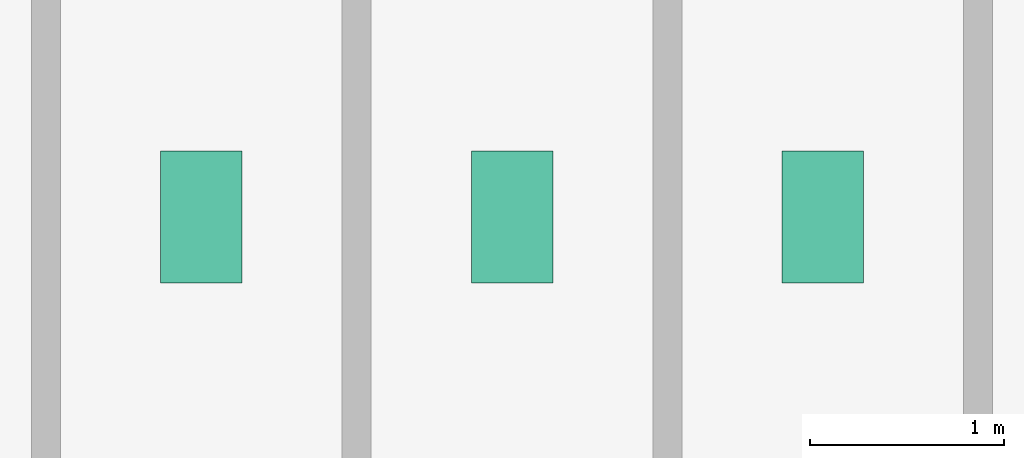
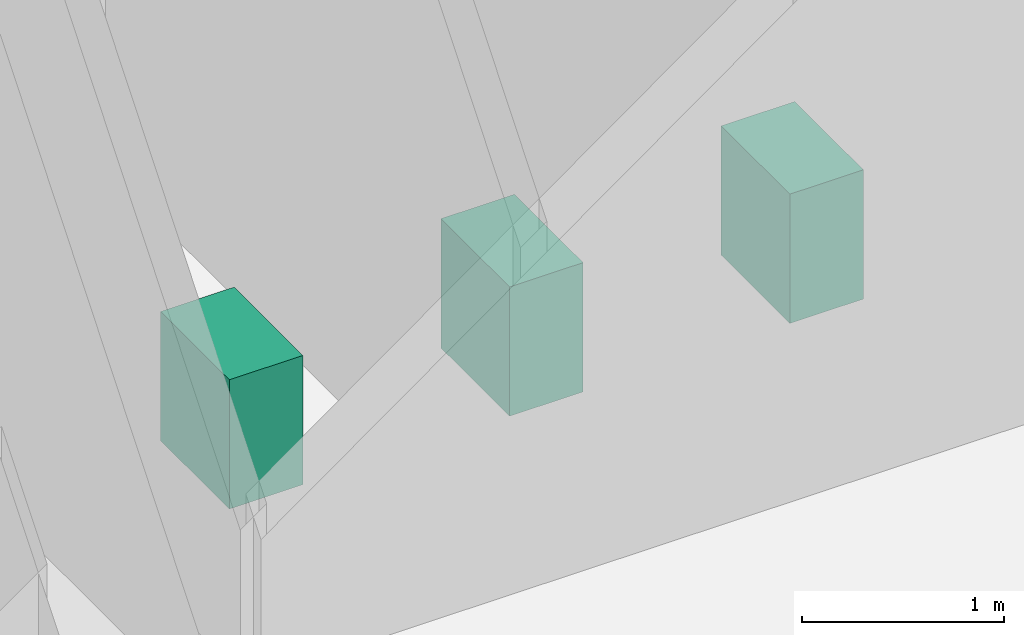
# One storey, part 22 of 22: 3 sanitary terminals.
"""IFC4 building model written with IfcOpenShell, lengths in metres."""

from ifc_helpers import new_model, si_unit, derived_unit, direction, frame, origin, origin_2d, place, context, subcontext, project, spatial, rectangle, extrude, source, transform, mapped, material, type_object, element, save


model = new_model("IFC4")

# Units and contexts
model_context = context("Model", 3, precision=1e-05, world=origin(), true_north=direction((0.0, 1.0)))
body_context = subcontext(model_context, "Body", "Model", "MODEL_VIEW")
ifc_project = project(units=[si_unit("LENGTHUNIT", "METRE"), si_unit("AREAUNIT", "SQUARE_METRE"), si_unit("VOLUMEUNIT", "CUBIC_METRE"), si_unit("PLANEANGLEUNIT", "RADIAN"), si_unit("MASSUNIT", "GRAM", prefix="KILO"), derived_unit("THERMALTRANSMITTANCEUNIT", [(si_unit("POWERUNIT", "WATT"), 1), (si_unit("LENGTHUNIT", "METRE"), -2), (si_unit("THERMODYNAMICTEMPERATUREUNIT", "KELVIN"), -1)])], contexts=[model_context])

# Site, building, storey
site_placement = place(None, origin())
site = spatial("IfcSite", under=ifc_project, at=site_placement, CompositionType="ELEMENT")
building_placement = place(site_placement, origin())
building = spatial("IfcBuilding", under=site, at=building_placement, Name="Skarnbrae Concourse Arena and Tower", CompositionType="ELEMENT")
storey_placement = place(building_placement, frame((0.0, 0.0, 258.800048828125)))
storey = spatial("IfcBuildingStorey", under=building, at=storey_placement, Name="L67", CompositionType="ELEMENT", Elevation=258.800048828125)

# Sanitary terminals
ifc_material = material(Name="Vitreous china sanitaryware", Category="other")
sanitary_terminal_type = type_object("IfcSanitaryTerminalType", Name="SAN-WC-VITREOUS", PredefinedType="TOILETPAN", material=ifc_material)
shared_shape = source(origin(), body_context, "Body", "SweptSolid", [
    extrude(rectangle(XDim=0.419921875, YDim=0.679931640625, at=origin_2d()), origin(), (0.0, 0.0, 1.0), 0.780029296875),
])
for number, where, z_axis, x_axis, name in (
    (1, (35.0, 11.39990234375, 0.0), (0.0, 0.0, 1.0), (1.0, 0.0, 0.0), "L67 Washroom WC fixture 1"),
    (2, (36.60009765625, 11.39990234375, 0.0), (0.0, 0.0, 1.0), (1.0, 0.0, 0.0), "L67 Washroom WC fixture 2"),
    (3, (38.199951171875, 11.39990234375, 0.0), (0.0, 0.0, 1.0), (1.0, 0.0, 0.0), "L67 Washroom WC fixture 3"),
):
    element("IfcSanitaryTerminal", number, at=place(storey_placement, frame(where, z_axis=z_axis, x_axis=x_axis)), inside=storey, type_object=sanitary_terminal_type, Name=name, PredefinedType="TOILETPAN", context=body_context, shape_type="MappedRepresentation", body=[
        mapped(shared_shape, transform((0.0, 0.0, 0.0))),
    ])

save(model, "model.ifc")
